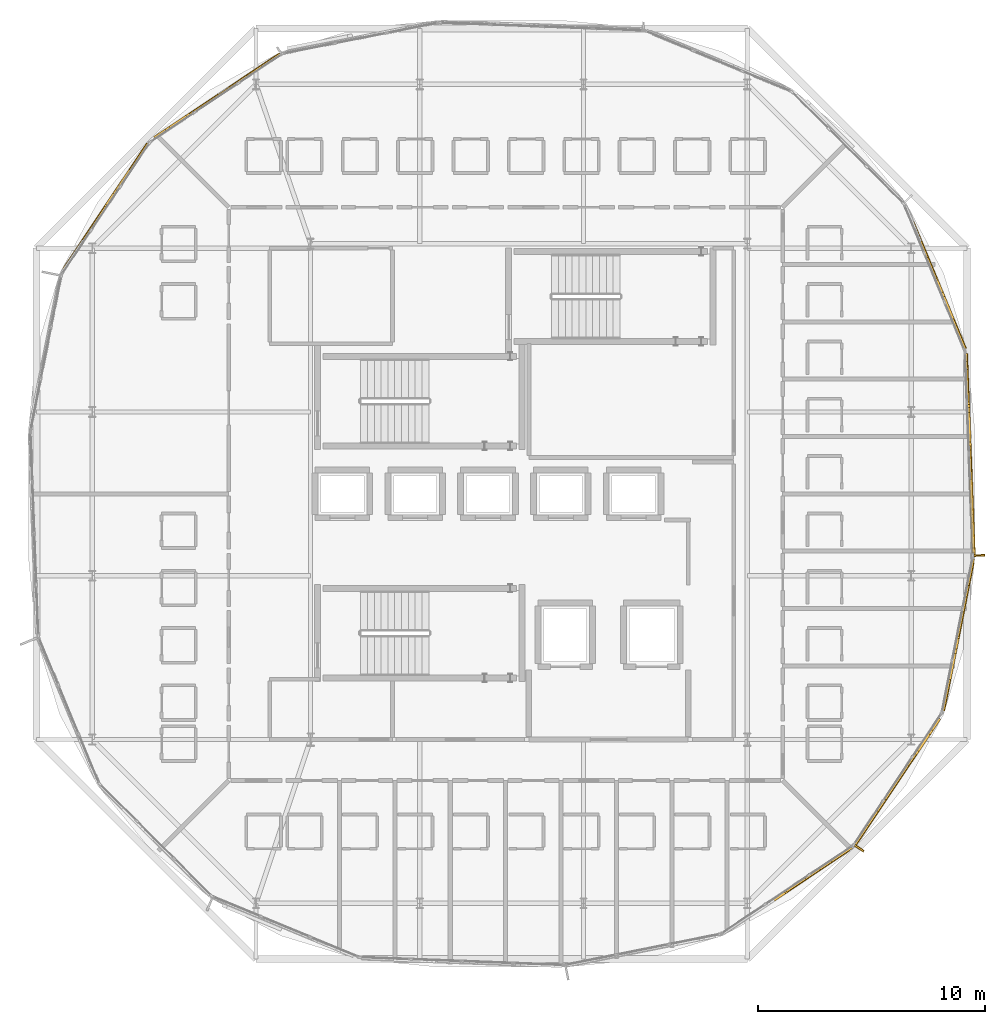
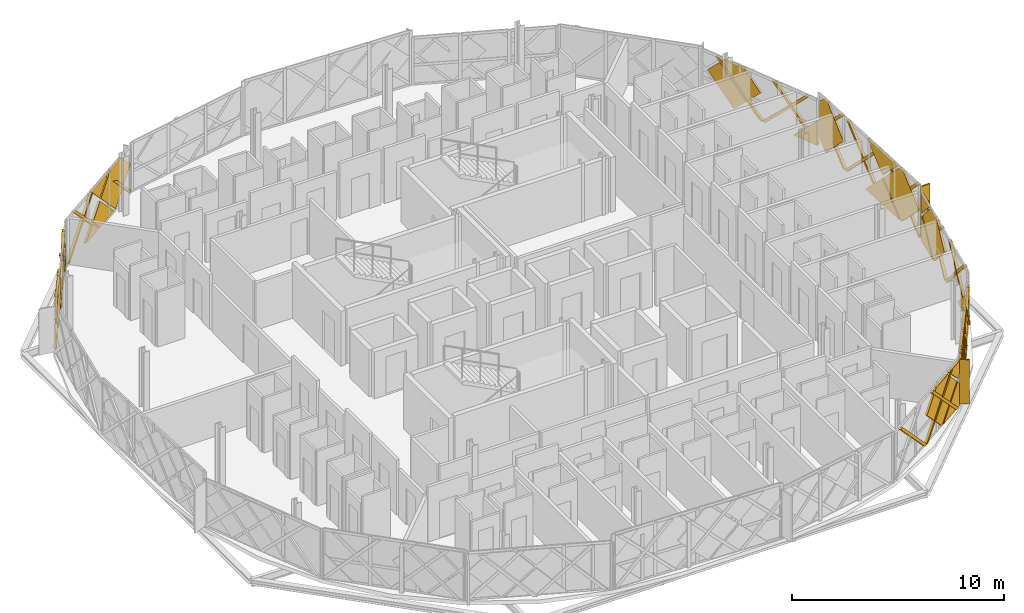
# One storey, part 23 of 24: 48 coverings, 2 shading devices.
"""IFC4 building model written with IfcOpenShell, lengths in metres."""

import ifcopenshell
import ifcopenshell.guid

model = None  # the IFC model being written
_history = None  # IfcOwnerHistory: only IFC2X3 demands one
_inside = {}  # id of a spatial element -> (the spatial element, [elements in it])
_under = {}  # id of a project, library or spatial element -> (it, [spatial elements below it])
_declared = {}  # id of a project -> (the project, [libraries it declares])
_typed = {}  # id of a type object -> (the type object, [elements of that type])
_made_of = {}  # id of a material, layer set ... -> (it, [elements and type objects made of it])


def new_model(schema):
    """Start an empty IFC model of exactly this schema.

    Asked for "IFC4X3", IfcOpenShell would pick the latest addendum, in which some entities
    have other attributes; the version numbers below select the first issue.
    IFC2X3 requires an IfcOwnerHistory on every rooted entity: one is made here for all.
    """
    global model, _history
    if schema == "IFC4X3":
        model = ifcopenshell.file(schema_version=(4, 3, 0, 0))
    else:
        model = ifcopenshell.file(schema=schema)
    _inside.clear()
    _under.clear()
    _declared.clear()
    _typed.clear()
    _made_of.clear()
    _history = None
    if model.schema == "IFC2X3":
        org = make("IfcOrganization", Name="unknown")
        user = make(
            "IfcPersonAndOrganization",
            ThePerson=make("IfcPerson", FamilyName="unknown"),
            TheOrganization=org,
        )
        app = make(
            "IfcApplication",
            ApplicationDeveloper=org,
            Version="unknown",
            ApplicationFullName="unknown",
            ApplicationIdentifier="unknown",
        )
        _history = make(
            "IfcOwnerHistory",
            OwningUser=user,
            OwningApplication=app,
            ChangeAction="ADDED",
            CreationDate=0,
        )
    return model


def make(cls, **values):
    """One entity of the class cls with the attributes given. An attribute that is None is left unset."""
    return model.create_entity(
        cls, **{name: value for name, value in values.items() if value is not None}
    )


def rooted(cls, **values):
    """An entity with a GlobalId (a new one), such as an element, a storey or a relation."""
    return make(cls, GlobalId=ifcopenshell.guid.new(), OwnerHistory=_history, **values)


def si_unit(unit_type, name, prefix=None):
    """IfcSIUnit, for example si_unit("LENGTHUNIT", "METRE", prefix="MILLI")."""
    return make("IfcSIUnit", UnitType=unit_type, Prefix=prefix, Name=name)


def assignment(units):
    """IfcUnitAssignment: the units of a project."""
    return None if units is None else make("IfcUnitAssignment", Units=units)


def point(xyz):
    """IfcCartesianPoint."""
    return None if xyz is None else make("IfcCartesianPoint", Coordinates=xyz)


def direction(xyz):
    """IfcDirection."""
    return None if xyz is None else make("IfcDirection", DirectionRatios=xyz)


def frame(location, z_axis=None, x_axis=None):
    """IfcAxis2Placement3D, a coordinate frame: its origin and axes. An axis left out is left unset."""
    return make(
        "IfcAxis2Placement3D",
        Location=point(location),
        Axis=direction(z_axis),
        RefDirection=direction(x_axis),
    )


def frame_2d(location, x_axis=None):
    """IfcAxis2Placement2D, a coordinate frame in the plane: its origin and x axis."""
    return make(
        "IfcAxis2Placement2D", Location=point(location), RefDirection=direction(x_axis)
    )


def origin():
    """The frame at (0, 0, 0) with its axes left unset."""
    return frame((0.0, 0.0, 0.0))


def origin_2d():
    """The frame at (0, 0) in the plane with its x axis left unset."""
    return frame_2d((0.0, 0.0))


def place(relative_to, where):
    """IfcLocalPlacement: puts the frame where relative to a parent placement (None: the world)."""
    return make(
        "IfcLocalPlacement", PlacementRelTo=relative_to, RelativePlacement=where
    )


def context(
    kind, dimensions, precision=None, world=None, true_north=None, identifier=None
):
    """IfcGeometricRepresentationContext, for example the 3D "Model" context."""
    return make(
        "IfcGeometricRepresentationContext",
        ContextIdentifier=identifier,
        ContextType=kind,
        CoordinateSpaceDimension=dimensions,
        Precision=precision,
        WorldCoordinateSystem=world,
        TrueNorth=true_north,
    )


def subcontext(parent, identifier, kind, view, scale=None):
    """IfcGeometricRepresentationSubContext, for example "Body" below "Model"."""
    return make(
        "IfcGeometricRepresentationSubContext",
        ContextIdentifier=identifier,
        ContextType=kind,
        ParentContext=parent,
        TargetScale=scale,
        TargetView=view,
    )


def project(units=None, contexts=None):
    """IfcProject with its units and contexts."""
    return rooted(
        "IfcProject",
        Name="project",
        RepresentationContexts=contexts,
        UnitsInContext=assignment(units),
    )


def spatial(cls, under=None, at=None, **own):
    """A site, building, storey or space (cls), placed at a placement, below another one or the project."""
    s = rooted(cls, ObjectPlacement=at, **own)
    if under is not None:
        _under.setdefault(under.id(), (under, []))[1].append(s)
    return s


def polyline(points):
    """IfcPolyline through the points."""
    return make("IfcPolyline", Points=[point(p) for p in points])


def profile(cls, at=None, kind="AREA", **sizes):
    """A parametric profile (cls). Its sizes go by their IFC names, for example OverallWidth=200.0."""
    return make(cls, ProfileType=kind, Position=at, **sizes)


def rectangle(**sizes):
    """IfcRectangleProfileDef."""
    return profile("IfcRectangleProfileDef", **sizes)


def outline(outer, holes=None, kind="AREA"):
    """IfcArbitraryClosedProfileDef: a profile drawn as a closed curve; with holes, ...WithVoids."""
    if holes is None:
        return make("IfcArbitraryClosedProfileDef", ProfileType=kind, OuterCurve=outer)
    return make(
        "IfcArbitraryProfileDefWithVoids",
        ProfileType=kind,
        OuterCurve=outer,
        InnerCurves=holes,
    )


def extrude(swept, where, along, depth):
    """IfcExtrudedAreaSolid: the profile swept, set in the frame where, extruded along a direction by depth."""
    return make(
        "IfcExtrudedAreaSolid",
        SweptArea=swept,
        Position=where,
        ExtrudedDirection=direction(along),
        Depth=depth,
    )


def shape(context_of_items, identifier, shape_type, items):
    """IfcShapeRepresentation: the items that make up one representation, for example the "Body"."""
    return make(
        "IfcShapeRepresentation",
        ContextOfItems=context_of_items,
        RepresentationIdentifier=identifier,
        RepresentationType=shape_type,
        Items=items,
    )


def material(Name=None, Category=None):
    """IfcMaterial."""
    return make("IfcMaterial", Name=Name, Category=Category)


def layer(
    of_material, thickness, ventilated=None, Name=None, Category=None, Priority=None
):
    """IfcMaterialLayer: one layer of a wall or slab, of a material (None: an air gap)."""
    return make(
        "IfcMaterialLayer",
        Material=of_material,
        LayerThickness=thickness,
        IsVentilated=ventilated,
        Name=Name,
        Category=Category,
        Priority=Priority,
    )


def layer_set(layers, Name=None):
    """IfcMaterialLayerSet."""
    return make("IfcMaterialLayerSet", MaterialLayers=layers, LayerSetName=Name)


def made_of(thing, what):
    """Note that an element or type object is made of a material, layer set ...; save() writes the relation."""
    if what is not None:
        _made_of.setdefault(what.id(), (what, []))[1].append(thing)
    return thing


def type_object(cls, material=None, **own):
    """A type object (cls), such as IfcWallType, which elements share."""
    return made_of(rooted(cls, **own), material)


def element(
    cls,
    number,
    at=None,
    inside=None,
    cuts=None,
    type_object=None,
    material=None,
    context=None,
    identifier="Body",
    shape_type=None,
    held_by="IfcProductDefinitionShape",
    body=None,
    shapes=None,
    **own,
):
    """One element of the class cls, such as IfcWall. Its Tag is "e" and its number.

    at: its placement. inside: the storey or other place that contains it. cuts: it is an
    opening in that element (IfcRelVoidsElement). A single representation is given by context,
    identifier, shape_type and body (its items); several are given by shapes. held_by: the class
    of the entity that holds the representations. save() writes the other relations.
    """
    e = rooted(cls, Tag="e%d" % number, ObjectPlacement=at, **own)
    if body is not None:
        shapes = [shape(context, identifier, shape_type, body)]
    if shapes is not None:
        e.Representation = make(held_by, Representations=shapes)
    if inside is not None:
        _inside.setdefault(inside.id(), (inside, []))[1].append(e)
    if cuts is not None:
        rooted(
            "IfcRelVoidsElement", RelatingBuildingElement=cuts, RelatedOpeningElement=e
        )
    if type_object is not None:
        _typed.setdefault(type_object.id(), (type_object, []))[1].append(e)
    return made_of(e, material)


def aggregate(whole, parts):
    """IfcRelAggregates: a whole, such as a stair, and the parts it consists of."""
    return rooted("IfcRelAggregates", RelatingObject=whole, RelatedObjects=parts)


def save(model, path):
    """Write the relations noted so far, then the file.

    IfcRelAggregates (storeys below a building ...), IfcRelContainedInSpatialStructure (elements
    in a storey), IfcRelDefinesByType, IfcRelAssociatesMaterial and IfcRelDeclares: one each for
    every whole, place, type object, material and project.
    """
    for whole, parts in _under.values():
        aggregate(whole, parts)
    for where, things in _inside.values():
        rooted(
            "IfcRelContainedInSpatialStructure",
            RelatedElements=things,
            RelatingStructure=where,
        )
    for kind, things in _typed.values():
        rooted("IfcRelDefinesByType", RelatedObjects=things, RelatingType=kind)
    for what, things in _made_of.values():
        rooted("IfcRelAssociatesMaterial", RelatedObjects=things, RelatingMaterial=what)
    for by, libraries in _declared.values():
        rooted("IfcRelDeclares", RelatingContext=by, RelatedDefinitions=libraries)
    model.write(path)


model = new_model("IFC4")

# Units and contexts
model_context = context("Model", 3, precision=1e-05, world=origin(), true_north=direction((0.0, 1.0)))
body_context = subcontext(model_context, "Body", "Model", "MODEL_VIEW")
ifc_project = project(units=[si_unit("LENGTHUNIT", "METRE"), si_unit("AREAUNIT", "SQUARE_METRE"), si_unit("VOLUMEUNIT", "CUBIC_METRE"), si_unit("PLANEANGLEUNIT", "RADIAN"), si_unit("MASSUNIT", "GRAM", prefix="KILO")], contexts=[model_context])

# Site, building, storey
site_placement = place(None, origin())
site = spatial("IfcSite", under=ifc_project, at=site_placement, CompositionType="ELEMENT")
building_placement = place(site_placement, origin())
building = spatial("IfcBuilding", under=site, at=building_placement, Name="Zevrakil Square Congress Hotel", CompositionType="ELEMENT")
storey_placement = place(building_placement, frame((0.0, 0.0, 31.699951171875)))
storey = spatial("IfcBuildingStorey", under=building, at=storey_placement, Name="L09", CompositionType="ELEMENT", Elevation=31.699951171875)

# Coverings
ifc_material_1 = material(Name="Architectural White Fibre-C GRC", Category="concrete")
ifc_layer_1 = layer(ifc_material_1, 0.06494140625)
ifc_layer_set_1 = layer_set([ifc_layer_1], Name="Architectural White Fibre-C GRC")
covering_type_1 = type_object("IfcCoveringType", Name="COV-DIA-WHITE", PredefinedType="CLADDING", material=ifc_layer_set_1)
covering_1_placement = place(storey_placement, frame((160.470703125, 11.906982421875, 1.590087890625), z_axis=(0.555555570165, -0.831479210688, 0.000575023212), x_axis=(0.588081970565, 0.392439818375, -0.707213252739)))
element("IfcCovering", 1, at=covering_1_placement, inside=storey, type_object=covering_type_1, Name="L09 45-degree white GRC diamond facade cassette 2941", PredefinedType="CLADDING", context=body_context, shape_type="SweptSolid", body=[
    extrude(outline(polyline([(0.0, 0.0), (0.26270868556068033, -2.7755575615628914e-17), (1.199309263480917, -0.9361277290197445), (0.00043264260109388, -2.135365934725305), (0.0, 0.0)])), origin(), (0.0, 0.0, -1.0), 0.1201171875),
])
covering_2_placement = place(storey_placement, frame((160.39599609375, 11.85693359375, 1.679931640625), z_axis=(0.555550471094, -0.831482613578, 0.000580848501), x_axis=(-0.587739858989, -0.393189054616, -0.707081484332)))
element("IfcCovering", 2, at=covering_2_placement, inside=storey, type_object=covering_type_1, Name="L09 45-degree white GRC diamond facade cassette 2942", PredefinedType="CLADDING", context=body_context, shape_type="SweptSolid", body=[
    extrude(outline(polyline([(0.0, 0.0), (2.2484589964464945, 2.220446049250313e-16), (2.2486178398578724, -2.2484577184141084), (0.8414631937898491, -2.248661653598485), (-5.673013218232548e-05, -1.4072016553573734), (0.0, 0.0)])), origin(), (0.0, 0.0, -1.0), 0.1201171875),
])
covering_3_placement = place(storey_placement, frame((160.470703125, 11.906982421875, 1.77001953125), z_axis=(0.555624868628, -0.831432770086, 0.000744438948), x_axis=(-0.58814316433, -0.392407573562, 0.707180255991)))
element("IfcCovering", 3, at=covering_3_placement, inside=storey, type_object=covering_type_1, Name="L09 45-degree white GRC diamond facade cassette 2943", PredefinedType="CLADDING", context=body_context, shape_type="SweptSolid", body=[
    extrude(outline(polyline([(0.0, 0.0), (1.279771719581046, -1.1102230246251565e-16), (0.5086976693122863, -0.771234752438759), (0.00011457308012857714, -0.2626610238337355), (0.0, 0.0)])), origin(), (0.0, 0.0, -1.0), 0.1201171875),
])
covering_4_placement = place(storey_placement, frame((162.60107421875, 14.885498046875, 1.590087890625), z_axis=(0.831477563043, -0.555557978924, 0.000627862189), x_axis=(0.393187686399, 0.58766638793, -0.707143309211)))
element("IfcCovering", 4, at=covering_4_placement, inside=storey, type_object=covering_type_1, Name="L09 45-degree white GRC diamond facade cassette 2948", PredefinedType="CLADDING", context=body_context, shape_type="SweptSolid", body=[
    extrude(outline(polyline([(0.0, 0.0), (2.135365980213563, 0.0), (7.921732547955251e-05, -2.135508233026097), (0.0, 0.0)])), origin(), (0.0, 0.0, -1.0), 0.1201171875),
])
covering_5_placement = place(storey_placement, frame((162.551025390625, 14.810546875, 1.679931640625), z_axis=(0.831460077473, -0.555584210148, 0.000570089731), x_axis=(-0.392536020764, -0.58817569758, -0.707081905566)))
element("IfcCovering", 5, at=covering_5_placement, inside=storey, type_object=covering_type_1, Name="L09 45-degree white GRC diamond facade cassette 2949", PredefinedType="CLADDING", context=body_context, shape_type="SweptSolid", body=[
    extrude(outline(polyline([(0.0, 0.0), (2.24845772409654, -2.220446049250313e-16), (2.248530996360055, -2.234563350722395), (2.23454817547362, -2.2485471508973056), (0.8414149194801583, -2.248615133266335), (-0.00010452547144523816, -1.407154657282171), (0.0, 0.0)])), origin(), (0.0, 0.0, -1.0), 0.1201171875),
])
covering_6_placement = place(storey_placement, frame((162.600830078125, 14.885498046875, 1.77001953125), z_axis=(0.831447899515, -0.555602514293, 0.000486316257), x_axis=(-0.393145029289, -0.587714621659, 0.707126940113)))
element("IfcCovering", 6, at=covering_6_placement, inside=storey, type_object=covering_type_1, Name="L09 45-degree white GRC diamond facade cassette 2950", PredefinedType="CLADDING", context=body_context, shape_type="SweptSolid", body=[
    extrude(outline(polyline([(0.0, 0.0), (1.2798682181872283, -1.1102230246251565e-16), (7.395462638903894e-05, -1.2798675407719995), (0.0, 0.0)])), origin(), (0.0, 0.0, -1.0), 0.1201171875),
])
covering_7_placement = place(storey_placement, frame((164.93603515625, 19.431396484375, 0.080078125), z_axis=(0.980773211912, -0.195150319531, 0.000509492578), x_axis=(-0.19515034486, -0.980773339208, 0.0)))
element("IfcCovering", 7, at=covering_7_placement, inside=storey, type_object=covering_type_1, Name="L09 45-degree white GRC diamond facade cassette 2955", PredefinedType="CLADDING", context=body_context, shape_type="SweptSolid", body=[
    extrude(outline(polyline([(0.0, 0.0), (1.409920564436228, 2.710505431213761e-20), (1.4100634968177175, -1.4099122923694223), (0.0, 0.0)])), origin(), (0.0, 0.0, -1.0), 0.1201171875),
])
covering_8_placement = place(storey_placement, frame((165.951416015625, 24.54150390625, 1.590087890625), z_axis=(0.980781294411, -0.195109431734, 0.000601815701), x_axis=(0.138356558336, 0.693312983016, -0.70723021029)))
element("IfcCovering", 8, at=covering_8_placement, inside=storey, type_object=covering_type_1, Name="L09 45-degree white GRC diamond facade cassette 2956", PredefinedType="CLADDING", context=body_context, shape_type="SweptSolid", body=[
    extrude(outline(polyline([(0.0, 0.0), (0.26270234437321993, 2.7755575615628914e-17), (1.199161918910315, -0.9362688493149549), (0.00035303784299656193, -2.1354968172801163), (0.0, 0.0)])), origin(), (0.0, 0.0, -1.0), 0.1201171875),
])
covering_9_placement = place(storey_placement, frame((165.933837890625, 24.453125, 1.679931640625), z_axis=(0.980792211256, -0.195054657099, 0.000564874392), x_axis=(-0.137537358675, -0.693626008541, -0.707083046921)))
element("IfcCovering", 9, at=covering_9_placement, inside=storey, type_object=covering_type_1, Name="L09 45-degree white GRC diamond facade cassette 2957", PredefinedType="CLADDING", context=body_context, shape_type="SweptSolid", body=[
    extrude(outline(polyline([(0.0, 0.0), (2.2484539984266965, 0.0), (2.2486705780050307, -2.2485204204420257), (0.6998426726840418, -2.248612082302408), (-0.00015858447467409498, -1.5486577677768727), (0.0, 0.0)])), origin(), (0.0, 0.0, -1.0), 0.1201171875),
])
covering_10_placement = place(storey_placement, frame((165.951416015625, 24.54150390625, 1.77001953125), z_axis=(0.980762301065, -0.195204917922, 0.000590617638), x_axis=(-0.138434867767, -0.693394688143, 0.707134777706)))
element("IfcCovering", 10, at=covering_10_placement, inside=storey, type_object=covering_type_1, Name="L09 45-degree white GRC diamond facade cassette 2958", PredefinedType="CLADDING", context=body_context, shape_type="SweptSolid", body=[
    extrude(outline(polyline([(0.0, 0.0), (1.4214078953294336, -1.1102230246251565e-16), (0.5795385624433876, -0.841936290724691), (9.003126230577863e-05, -0.2626686353317758), (0.0, 0.0)])), origin(), (0.0, 0.0, -1.0), 0.1201171875),
])
covering_11_placement = place(storey_placement, frame((165.880615234375, 28.201171875, 1.590087890625), z_axis=(0.999268516793, 0.038237521919, 0.00056856242), x_axis=(-0.026637135829, 0.706627195536, -0.707084485421)))
element("IfcCovering", 11, at=covering_11_placement, inside=storey, type_object=covering_type_1, Name="L09 45-degree white GRC diamond facade cassette 2963", PredefinedType="CLADDING", context=body_context, shape_type="SweptSolid", body=[
    extrude(outline(polyline([(0.0, 0.0), (2.135543625631838, 0.0), (-7.675458893352527e-06, -2.135417325695998), (0.0, 0.0)])), origin(), (0.0, 0.0, -1.0), 0.1201171875),
])
covering_12_placement = place(storey_placement, frame((165.884033203125, 28.111083984375, 1.679931640625), z_axis=(0.99927022212, 0.038191626028, 0.00065029687), x_axis=(0.027464881556, -0.706568659817, -0.707111313193)))
element("IfcCovering", 12, at=covering_12_placement, inside=storey, type_object=covering_type_1, Name="L09 45-degree white GRC diamond facade cassette 2964", PredefinedType="CLADDING", context=body_context, shape_type="SweptSolid", body=[
    extrude(outline(polyline([(0.0, 0.0), (2.2483641982362492, 0.0), (2.248273639218738, -2.2344926104274325), (2.234290236784982, -2.2484758277028156), (0.25429842269801184, -2.2485775321835337), (-0.00017268796531177966, -1.9941029852337686), (0.0, 0.0)])), origin(), (0.0, 0.0, -1.0), 0.1201171875),
])
covering_13_placement = place(storey_placement, frame((165.68896484375, 33.237548828125, 0.090087890625), z_axis=(0.999267380291, 0.038266573584, 0.000609944796), x_axis=(0.026628860171, -0.706638319592, 0.7070736801)))
element("IfcCovering", 13, at=covering_13_placement, inside=storey, type_object=covering_type_1, Name="L09 45-degree white GRC diamond facade cassette 2965", PredefinedType="CLADDING", context=body_context, shape_type="SweptSolid", body=[
    extrude(outline(polyline([(0.0, 0.0), (2.2484839012348568, 0.0), (2.2485041573894216, -1.9941491244564475), (1.9940129245306846, -2.2486167517359945), (1.4999325554660055, -2.2485969637526586), (-0.0001431455945355431, -0.7486471277437169), (0.0, 0.0)])), origin(), (0.0, 0.0, -1.0), 0.1201171875),
])
covering_14_placement = place(storey_placement, frame((165.880615234375, 28.201171875, 1.77001953125), z_axis=(0.999270087558, 0.038195145411, 0.000650368574), x_axis=(0.026548024713, -0.706595948393, 0.70711906218)))
element("IfcCovering", 14, at=covering_14_placement, inside=storey, type_object=covering_type_1, Name="L09 45-degree white GRC diamond facade cassette 2966", PredefinedType="CLADDING", context=body_context, shape_type="SweptSolid", body=[
    extrude(outline(polyline([(0.0, 0.0), (1.8668261541483901, 0.0), (0.00019198505883255557, -1.8666997995916357), (0.0, 0.0)])), origin(), (0.0, 0.0, -1.0), 0.1201171875),
])
covering_15_placement = place(storey_placement, frame((165.079833984375, 35.294189453125, 0.080078125), z_axis=(0.923894304185, 0.382647378607, 0.000546204379), x_axis=(0.382647435687, -0.923894442002, 0.0)))
element("IfcCovering", 15, at=covering_15_placement, inside=storey, type_object=covering_type_1, Name="L09 45-degree white GRC diamond facade cassette 2973", PredefinedType="CLADDING", context=body_context, shape_type="SweptSolid", body=[
    extrude(outline(polyline([(0.0, 0.0), (1.4100467713356626, -5.421010862427522e-20), (1.4099920721498573, -1.4099123196910894), (0.0, 0.0)])), origin(), (0.0, 0.0, -1.0), 0.1201171875),
])
covering_16_placement = place(storey_placement, frame((163.11962890625, 40.024169921875, 1.679931640625), z_axis=(0.923872842232, 0.382699154345, 0.000573279441), x_axis=(0.271009366948, -0.653183734627, -0.707039554654)))
element("IfcCovering", 16, at=covering_16_placement, inside=storey, type_object=covering_type_1, Name="L09 45-degree white GRC diamond facade cassette 2975", PredefinedType="CLADDING", context=body_context, shape_type="SweptSolid", body=[
    extrude(outline(polyline([(0.0, 0.0), (2.2485923601866116, 0.0), (2.2488756730302573, -2.2484488388837605), (0.8416995419076854, -2.248714743331991), (0.00021545343564721708, -1.4073903061598778), (0.0, 0.0)])), origin(), (0.0, 0.0, -1.0), 0.1201171875),
])
covering_17_placement = place(storey_placement, frame((132.722900390625, 45.159912109375, 1.590087890625), z_axis=(-0.55561388907, 0.831440251576, 0.000560652442), x_axis=(-0.588172468812, -0.392572256151, -0.707064474169)))
element("IfcCovering", 17, at=covering_17_placement, inside=storey, type_object=covering_type_1, Name="L09 45-degree white GRC diamond facade cassette 3014", PredefinedType="CLADDING", context=body_context, shape_type="SweptSolid", body=[
    extrude(outline(polyline([(0.0, 0.0), (2.135604065526496, 2.220446049250313e-16), (-1.6773891793997464e-05, -2.1353659801476814), (0.0, 0.0)])), origin(), (0.0, 0.0, -1.0), 0.1201171875),
])
covering_18_placement = place(storey_placement, frame((132.7978515625, 45.209716796875, 1.679931640625), z_axis=(-0.555583563921, 0.831460445201, 0.000656936869), x_axis=(0.587719384031, 0.393273931333, -0.707051299814)))
element("IfcCovering", 18, at=covering_18_placement, inside=storey, type_object=covering_type_1, Name="L09 45-degree white GRC diamond facade cassette 3015", PredefinedType="CLADDING", context=body_context, shape_type="SweptSolid", body=[
    extrude(outline(polyline([(0.0, 0.0), (2.2485549974204413, 0.0), (2.2486276031795485, -2.234466135909624), (2.234645387533814, -2.24845053976666), (0.8415590127010275, -2.2486257950545143), (3.234008185581949e-06, -1.4072016568789645), (0.0, 0.0)])), origin(), (0.0, 0.0, -1.0), 0.1201171875),
])
covering_19_placement = place(storey_placement, frame((132.722900390625, 45.15966796875, 1.77001953125), z_axis=(-0.555540185908, 0.831489498937, 0.000561247512), x_axis=(0.588221200664, 0.392528933517, 0.707047986661)))
element("IfcCovering", 19, at=covering_19_placement, inside=storey, type_object=covering_type_1, Name="L09 45-degree white GRC diamond facade cassette 3016", PredefinedType="CLADDING", context=body_context, shape_type="SweptSolid", body=[
    extrude(outline(polyline([(0.0, 0.0), (1.2800111363716264, 0.0), (-6.952262532788911e-05, -1.279868216298989), (0.0, 0.0)])), origin(), (0.0, 0.0, -1.0), 0.1201171875),
])
covering_20_placement = place(storey_placement, frame((128.825927734375, 41.853271484375, 0.080078125), z_axis=(-0.831436961663, 0.555618744269, 0.000624337381), x_axis=(0.555618852558, 0.831437123709, 0.0)))
element("IfcCovering", 20, at=covering_20_placement, inside=storey, type_object=covering_type_1, Name="L09 45-degree white GRC diamond facade cassette 3021", PredefinedType="CLADDING", context=body_context, shape_type="SweptSolid", body=[
    extrude(outline(polyline([(0.0, 0.0), (1.4100444252712594, 5.421010862427522e-20), (1.410045397514974, -1.409912384164952), (0.0, 0.0)])), origin(), (0.0, 0.0, -1.0), 0.1201171875),
])
covering_21_placement = place(storey_placement, frame((125.982421875, 37.595703125, 1.679931640625), z_axis=(-0.831482613578, 0.555550471094, 0.000580848501), x_axis=(0.392505839963, 0.588195863584, -0.707081884691)))
element("IfcCovering", 21, at=covering_21_placement, inside=storey, type_object=covering_type_1, Name="L09 45-degree white GRC diamond facade cassette 3023", PredefinedType="CLADDING", context=body_context, shape_type="SweptSolid", body=[
    extrude(outline(polyline([(0.0, 0.0), (2.248457724024894, 0.0), (2.2486165675261627, -2.2484589908357053), (0.8414149196880389, -2.2486151334268043), (-0.00010452604580413194, -1.4071546569637217), (0.0, 0.0)])), origin(), (0.0, 0.0, -1.0), 0.1201171875),
])
ifc_material_2 = material(Name="Anodised Champagne Aluminium", Category="aluminium")
ifc_layer_2 = layer(ifc_material_2, 0.0849609375)
ifc_layer_set_2 = layer_set([ifc_layer_2], Name="Anodised Champagne Aluminium")
covering_type_2 = type_object("IfcCoveringType", Name="COV-DIAGRID-45", PredefinedType="MOLDING", material=ifc_layer_set_2)
covering_22_placement = place(storey_placement, frame((157.84619140625, 10.1220703125, 0.080078125), z_axis=(0.556027789995, -0.831163694361, 9.964254e-05), x_axis=(-0.831163698488, -0.556027792755, 0.0)))
element("IfcCovering", 22, at=covering_22_placement, inside=storey, type_object=covering_type_2, Name="L09 45-degree aluminium diagrid rib 2945", PredefinedType="MOLDING", context=body_context, shape_type="SweptSolid", body=[
    extrude(outline(polyline([(0.0, 0.0), (0.2120755894064681, 0.0), (-2.382939155568258, -2.5949707160072597), (-2.5950147449747263, -2.5949707160072597), (0.0, 0.0)])), origin(), (0.0, 0.0, -1.0), 0.14501953125),
])
covering_23_placement = place(storey_placement, frame((155.378173828125, 8.474853515625, 2.675048828125), z_axis=(0.555761685976, -0.831341238338, 0.00083297021), x_axis=(0.83134152687, 0.555761878596, -2.66209e-07)))
element("IfcCovering", 23, at=covering_23_placement, inside=storey, type_object=covering_type_2, Name="L09 45-degree aluminium diagrid rib 2946", PredefinedType="MOLDING", context=body_context, shape_type="SweptSolid", body=[
    extrude(outline(polyline([(0.0, 0.0), (0.21227854279522446, 1.3552527156068805e-20), (2.807221988183255, -2.5949708560651708), (2.595146409627989, -2.5949709690319134), (0.0, 0.0)])), origin(), (0.0, 0.0, -1.0), 0.14501953125),
])
covering_24_placement = place(storey_placement, frame((158.172119140625, 10.341552734375, 2.675048828125), z_axis=(0.556027439818, -0.831163170909, 0.001126718137), x_axis=(0.831163698488, 0.556027792755, 0.0)))
element("IfcCovering", 24, at=covering_24_placement, inside=storey, type_object=covering_type_2, Name="L09 45-degree aluminium diagrid rib 2947", PredefinedType="MOLDING", context=body_context, shape_type="SweptSolid", body=[
    extrude(outline(polyline([(0.0, 0.0), (0.2120755894064681, 1.3552527156068805e-20), (2.807017541453729, -2.594972350276125), (2.594941952047261, -2.594972350276125), (0.0, 0.0)])), origin(), (0.0, 0.0, -1.0), 0.14501953125),
])
covering_25_placement = place(storey_placement, frame((160.859130859375, 12.23193359375, 0.080078125), z_axis=(0.83161191176, -0.55535712809, 0.000297486657), x_axis=(-0.555357152722, -0.83161194852, 2.33168e-07)))
element("IfcCovering", 25, at=covering_25_placement, inside=storey, type_object=covering_type_2, Name="L09 45-degree aluminium diagrid rib 2951", PredefinedType="MOLDING", context=body_context, shape_type="SweptSolid", body=[
    extrude(outline(polyline([(0.0, 0.0), (0.0860625739379238, 3.3881317890172014e-21), (0.08606260331156856, -0.12597655692563992), (-2.383002926059609, -2.594971381520282), (-2.594942861226383, -2.594971440445242), (0.0, 0.0)])), origin(), (0.0, 0.0, -1.0), 0.14501953125),
])
covering_26_placement = place(storey_placement, frame((162.725830078125, 15.025634765625, 0.080078125), z_axis=(0.831429546981, -0.555629856535, 0.000609043152), x_axis=(-0.555629959438, -0.831429701282, -2.91656e-07)))
element("IfcCovering", 26, at=covering_26_placement, inside=storey, type_object=covering_type_2, Name="L09 45-degree aluminium diagrid rib 2952", PredefinedType="MOLDING", context=body_context, shape_type="SweptSolid", body=[
    extrude(outline(polyline([(0.0, 0.0), (0.21193991327518047, -2.0328790734103208e-20), (-2.383003897695146, -2.5949704893887406), (-2.595079462815893, -2.5949703657220855), (0.0, 0.0)])), origin(), (0.0, 0.0, -1.0), 0.14501953125),
])
for number, where, z_axis, x_axis, name in (
    (27, (161.076171875, 12.5595703125, 2.675048828125), (0.831163694361, -0.556027789995, 9.964254e-05), (0.556027792755, 0.831163698488, 0.0), "L09 45-degree aluminium diagrid rib 2953"),
    (28, (162.94287109375, 15.353271484375, 2.675048828125), (0.831163694361, -0.556027789995, 9.964254e-05), (0.556027792755, 0.831163698488, 0.0), "L09 45-degree aluminium diagrid rib 2954"),
):
    element("IfcCovering", number, at=place(storey_placement, frame(where, z_axis=z_axis, x_axis=x_axis)), inside=storey, type_object=covering_type_2, Name=name, PredefinedType="MOLDING", context=body_context, shape_type="SweptSolid", body=[
        extrude(outline(polyline([(0.0, 0.0), (0.2120755894064681, 0.0), (2.8070903343811944, -2.5949707160072597), (2.5950147449747263, -2.5949707160072597), (0.0, 0.0)])), origin(), (0.0, 0.0, -1.0), 0.14501953125),
    ])
covering_27_placement = place(storey_placement, frame((164.7021484375, 18.1279296875, 0.080078125), z_axis=(0.980832579188, -0.194852035511, 0.000368592858), x_axis=(-0.194852048547, -0.980832645856, -5.52765e-07)))
element("IfcCovering", 29, at=covering_27_placement, inside=storey, type_object=covering_type_2, Name="L09 45-degree aluminium diagrid rib 2959", PredefinedType="MOLDING", context=body_context, shape_type="SweptSolid", body=[
    extrude(outline(polyline([(0.0, 0.0), (0.08584892629919177, -8.470329472543003e-22), (0.08589642796472052, -0.125976642232294), (-2.4829614084602665, -2.6950671418977716), (-2.6950218114079445, -2.6950670474659173), (0.0, 0.0)])), origin(), (0.0, 0.0, -1.0), 0.14501953125),
])
covering_28_placement = place(storey_placement, frame((165.357666015625, 21.42333984375, 0.080078125), z_axis=(0.980889408081, -0.194566091509, 7.175285e-05), x_axis=(-0.19456609201, -0.980889410606, 0.0)))
element("IfcCovering", 30, at=covering_28_placement, inside=storey, type_object=covering_type_2, Name="L09 45-degree aluminium diagrid rib 2960", PredefinedType="MOLDING", context=body_context, shape_type="SweptSolid", body=[
    extrude(outline(polyline([(0.0, 0.0), (0.21206041195957603, 0.0), (-2.4829600806167407, -2.6950683663127415), (-2.6950204925763166, -2.6950683663127415), (0.0, 0.0)])), origin(), (0.0, 0.0, -1.0), 0.14501953125),
])
covering_29_placement = place(storey_placement, frame((164.7578125, 18.41552734375, 2.775146484375), z_axis=(0.980779279731, -0.195119821496, 0.000509617453), x_axis=(0.195119846977, 0.980779407061, -2.87653e-07)))
element("IfcCovering", 31, at=covering_29_placement, inside=storey, type_object=covering_type_2, Name="L09 45-degree aluminium diagrid rib 2961", PredefinedType="MOLDING", context=body_context, shape_type="SweptSolid", body=[
    extrude(outline(polyline([(0.0, 0.0), (0.21210801484432368, 3.3881317890172014e-21), (2.907221487956691, -2.695067873072805), (2.695161109793758, -2.6950679950860317), (0.0, 0.0)])), origin(), (0.0, 0.0, -1.0), 0.14501953125),
])
covering_30_placement = place(storey_placement, frame((165.413330078125, 21.7109375, 2.775146484375), z_axis=(0.980888796892, -0.194565970275, 0.001118634576), x_axis=(0.19456609201, 0.980889410606, 0.0)))
element("IfcCovering", 32, at=covering_30_placement, inside=storey, type_object=covering_type_2, Name="L09 45-degree aluminium diagrid rib 2962", PredefinedType="MOLDING", context=body_context, shape_type="SweptSolid", body=[
    extrude(outline(polyline([(0.0, 0.0), (0.21206041195957603, -6.776263578034403e-21), (2.9072194739633623, -2.6950700456044694), (2.6951590620037864, -2.6950700456044694), (0.0, 0.0)])), origin(), (0.0, 0.0, -1.0), 0.14501953125),
])
covering_31_placement = place(storey_placement, frame((166.02783203125, 25.030517578125, 0.080078125), z_axis=(0.999275908339, 0.038039729148, 0.000798761543), x_axis=(0.03803974056, -0.999276227145, 9.057e-07)))
element("IfcCovering", 33, at=covering_31_placement, inside=storey, type_object=covering_type_2, Name="L09 45-degree aluminium diagrid rib 2967", PredefinedType="MOLDING", context=body_context, shape_type="SweptSolid", body=[
    extrude(outline(polyline([(0.0, 0.0), (0.08599603236873739, -8.470329472543003e-22), (0.0859961464657472, -0.12597652231215858), (-2.7980141384707746, -3.0100132986534147), (-3.009837331921279, -3.0100134896554223), (0.0, 0.0)])), origin(), (0.0, 0.0, -1.0), 0.14501953125),
])
covering_32_placement = place(storey_placement, frame((165.8994140625, 28.38818359375, 0.080078125), z_axis=(0.999278590161, 0.037969134687, 0.000802531537), x_axis=(0.0379691469, -0.999278911958, 1.752e-08)))
element("IfcCovering", 34, at=covering_32_placement, inside=storey, type_object=covering_type_2, Name="L09 45-degree aluminium diagrid rib 2968", PredefinedType="MOLDING", context=body_context, shape_type="SweptSolid", body=[
    extrude(outline(polyline([(0.0, 0.0), (0.21231112215309594, 0.0), (-2.797763397265103, -3.0100107839505816), (-3.0098305548400837, -3.010010791385623), (0.0, 0.0)])), origin(), (0.0, 0.0, -1.0), 0.14501953125),
])
covering_33_placement = place(storey_placement, frame((165.77099609375, 31.74560546875, 0.080078125), z_axis=(0.999262306382, 0.03840148991, 0.00041062961), x_axis=(0.038401493078, -0.999262390631, 1.68689e-07)))
element("IfcCovering", 35, at=covering_33_placement, inside=storey, type_object=covering_type_2, Name="L09 45-degree aluminium diagrid rib 2969", PredefinedType="MOLDING", context=body_context, shape_type="SweptSolid", body=[
    extrude(outline(polyline([(0.0, 0.0), (0.2120671397312457, 4.235164736271502e-22), (-2.0232557600264265, -2.2353520922600176), (-2.023255795815199, -2.023193907021727), (0.0, 0.0)])), origin(), (0.0, 0.0, -1.0), 0.14501953125),
])
covering_34_placement = place(storey_placement, frame((166.02685546875, 25.00830078125, 3.090087890625), z_axis=(0.999278855797, 0.03796914478, 0.000335263133), x_axis=(-0.037969146916, 0.999278911957, 7.327e-09)))
element("IfcCovering", 36, at=covering_34_placement, inside=storey, type_object=covering_type_2, Name="L09 45-degree aluminium diagrid rib 2970", PredefinedType="MOLDING", context=body_context, shape_type="SweptSolid", body=[
    extrude(outline(polyline([(0.0, 0.0), (0.21206715757498135, 8.470329472543003e-22), (3.222255894892883, -3.010009958400565), (3.009944772739787, -3.0100099552909514), (0.0, 0.0)])), origin(), (0.0, 0.0, -1.0), 0.14501953125),
])
covering_35_placement = place(storey_placement, frame((165.8984375, 28.365966796875, 3.090087890625), z_axis=(0.999278018699, 0.037990984582, 0.000355578666), x_axis=(-0.037990986984, 0.999278081871, 0.0)))
element("IfcCovering", 37, at=covering_35_placement, inside=storey, type_object=covering_type_2, Name="L09 45-degree aluminium diagrid rib 2971", PredefinedType="MOLDING", context=body_context, shape_type="SweptSolid", body=[
    extrude(outline(polyline([(0.0, 0.0), (0.2120671576256312, 0.0), (3.2220119297478256, -3.0100099559120976), (3.009944772122195, -3.0100099559120976), (0.0, 0.0)])), origin(), (0.0, 0.0, -1.0), 0.14501953125),
])
covering_36_placement = place(storey_placement, frame((165.77001953125, 31.723388671875, 3.090087890625), z_axis=(0.999285907532, 0.037784021057, 0.000206786978), x_axis=(-0.037784021874, 0.999285928897, 4.2828e-08)))
element("IfcCovering", 38, at=covering_36_placement, inside=storey, type_object=covering_type_2, Name="L09 45-degree aluminium diagrid rib 2972", PredefinedType="MOLDING", context=body_context, shape_type="SweptSolid", body=[
    extrude(outline(polyline([(0.0, 0.0), (0.21206715307720056, 2.117582368135751e-22), (2.0453914653357086, -1.8332520799216434), (2.045391456238847, -2.0456544191303903), (0.0, 0.0)])), origin(), (0.0, 0.0, -1.0), 0.14501953125),
])
covering_37_placement = place(storey_placement, frame((165.609619140625, 34.08056640625, 0.080078125), z_axis=(0.923648326991, 0.383241132938, 4.5498423e-05), x_axis=(0.383241133336, -0.923648327947, -1.7991e-08)))
element("IfcCovering", 39, at=covering_37_placement, inside=storey, type_object=covering_type_2, Name="L09 45-degree aluminium diagrid rib 2977", PredefinedType="MOLDING", context=body_context, shape_type="SweptSolid", body=[
    extrude(outline(polyline([(0.0, 0.0), (0.08591876454666593, 2.117582368135751e-22), (0.08591876228024864, -0.12597656236960753), (-2.3829089227237494, -2.5949706625625812), (-2.5951425420456125, -2.5949706568811086), (0.0, 0.0)])), origin(), (0.0, 0.0, -1.0), 0.14501953125),
])
covering_38_placement = place(storey_placement, frame((164.32373046875, 37.184814453125, 0.080078125), z_axis=(0.92384130708, 0.382775370223, 0.000505256113), x_axis=(0.382775419259, -0.923841424927, -3.80117e-07)))
element("IfcCovering", 40, at=covering_38_placement, inside=storey, type_object=covering_type_2, Name="L09 45-degree aluminium diagrid rib 2978", PredefinedType="MOLDING", context=body_context, shape_type="SweptSolid", body=[
    extrude(outline(polyline([(0.0, 0.0), (0.2120080657726111, 0.0), (-2.382909504255097, -2.5949701285673163), (-2.5950496662204983, -2.594969967341287), (0.0, 0.0)])), origin(), (0.0, 0.0, -1.0), 0.14501953125),
])
covering_39_placement = place(storey_placement, frame((165.457763671875, 34.443115234375, 2.675048828125), z_axis=(0.923841186995, 0.382775320468, 0.000717810172), x_axis=(-0.382775418933, 0.923841425062, -2.23722e-07)))
element("IfcCovering", 41, at=covering_39_placement, inside=storey, type_object=covering_type_2, Name="L09 45-degree aluminium diagrid rib 2979", PredefinedType="MOLDING", context=body_context, shape_type="SweptSolid", body=[
    extrude(outline(polyline([(0.0, 0.0), (0.21191461474255194, -6.776263578034403e-21), (2.8070636499066777, -2.5949707436541787), (2.5948300369111976, -2.5949708385455366), (0.0, 0.0)])), origin(), (0.0, 0.0, -1.0), 0.14501953125),
])
covering_40_placement = place(storey_placement, frame((135.34765625, 46.944580078125, 0.080078125), z_axis=(-0.555644897762, 0.831419554627, 0.000521320113), x_axis=(0.83141966754, 0.555644973366, -2.28157e-07)))
element("IfcCovering", 42, at=covering_40_placement, inside=storey, type_object=covering_type_2, Name="L09 45-degree aluminium diagrid rib 3017", PredefinedType="MOLDING", context=body_context, shape_type="SweptSolid", body=[
    extrude(outline(polyline([(0.0, 0.0), (0.0860625921311238, 0.0), (0.08606256338873142, -0.12597654538137684), (-2.382939375877891, -2.5949705136969254), (-2.5948792872857536, -2.5949704104359568), (0.0, 0.0)])), origin(), (0.0, 0.0, -1.0), 0.14501953125),
])
covering_41_placement = place(storey_placement, frame((132.5537109375, 45.077880859375, 0.080078125), z_axis=(-0.555097984494, 0.831784130133, 0.00117833344), x_axis=(0.831784707218, 0.555098370415, -5.63615e-07)))
element("IfcCovering", 43, at=covering_41_placement, inside=storey, type_object=covering_type_2, Name="L09 45-degree aluminium diagrid rib 3018", PredefinedType="MOLDING", context=body_context, shape_type="SweptSolid", body=[
    extrude(outline(polyline([(0.0, 0.0), (0.21227852935285701, 1.3552527156068805e-20), (-2.3827357679512184, -2.5949711616989735), (-2.5948787752409856, -2.594970922488311), (0.0, 0.0)])), origin(), (0.0, 0.0, -1.0), 0.14501953125),
])
covering_42_placement = place(storey_placement, frame((132.22802734375, 44.8583984375, 2.675048828125), z_axis=(-0.555761685976, 0.831341238338, 0.00083297021), x_axis=(-0.831341526624, -0.555761878965, 2.66463e-07)))
element("IfcCovering", 44, at=covering_42_placement, inside=storey, type_object=covering_type_2, Name="L09 45-degree aluminium diagrid rib 3020", PredefinedType="MOLDING", context=body_context, shape_type="SweptSolid", body=[
    extrude(outline(polyline([(0.0, 0.0), (0.21207557855529596, -1.3552527156068805e-20), (2.8072206059142935, -2.5949723513936207), (2.5949420631190994, -2.5949722383187646), (0.0, 0.0)])), origin(), (0.0, 0.0, -1.0), 0.14501953125),
])
covering_43_placement = place(storey_placement, frame((129.540771484375, 42.968017578125, 0.080078125), z_axis=(-0.831354939769, 0.55574123944, 0.000799317032), x_axis=(0.555741417145, 0.831355205234, 2.57099e-07)))
element("IfcCovering", 45, at=covering_43_placement, inside=storey, type_object=covering_type_2, Name="L09 45-degree aluminium diagrid rib 3025", PredefinedType="MOLDING", context=body_context, shape_type="SweptSolid", body=[
    extrude(outline(polyline([(0.0, 0.0), (0.0860625959213795, 6.776263578034403e-21), (0.08606262830983093, -0.12597652225629044), (-2.3828665613436173, -2.5949721676562265), (-2.594942138164895, -2.594972163781128), (0.0, 0.0)])), origin(), (0.0, 0.0, -1.0), 0.14501953125),
])
covering_44_placement = place(storey_placement, frame((127.674072265625, 40.17431640625, 0.080078125), z_axis=(-0.831163170909, 0.556027439818, 0.001126718137), x_axis=(0.556027792755, 0.831163698488, 0.0)))
element("IfcCovering", 46, at=covering_44_placement, inside=storey, type_object=covering_type_2, Name="L09 45-degree aluminium diagrid rib 3026", PredefinedType="MOLDING", context=body_context, shape_type="SweptSolid", body=[
    extrude(outline(polyline([(0.0, 0.0), (0.2120755894064681, -1.3552527156068805e-20), (-2.382866362640793, -2.594972350276125), (-2.594941952047261, -2.594972350276125), (0.0, 0.0)])), origin(), (0.0, 0.0, -1.0), 0.14501953125),
])
covering_45_placement = place(storey_placement, frame((129.32373046875, 42.640380859375, 2.675048828125), z_axis=(-0.831429580361, 0.555629878842, 0.000539108574), x_axis=(-0.55562995947, -0.831429701261, 2.58166e-07)))
element("IfcCovering", 47, at=covering_45_placement, inside=storey, type_object=covering_type_2, Name="L09 45-degree aluminium diagrid rib 3027", PredefinedType="MOLDING", context=body_context, shape_type="SweptSolid", body=[
    extrude(outline(polyline([(0.0, 0.0), (0.2119399132751785, -6.776263578034403e-21), (2.806953567406638, -2.594971804883815), (2.5948780022858857, -2.594971695417427), (0.0, 0.0)])), origin(), (0.0, 0.0, -1.0), 0.14501953125),
])
covering_46_placement = place(storey_placement, frame((127.45703125, 39.8466796875, 2.675048828125), z_axis=(-0.831163698296, 0.556027792628, 2.1444808e-05), x_axis=(-0.556027792755, -0.831163698488, 0.0)))
element("IfcCovering", 48, at=covering_46_placement, inside=storey, type_object=covering_type_2, Name="L09 45-degree aluminium diagrid rib 3028", PredefinedType="MOLDING", context=body_context, shape_type="SweptSolid", body=[
    extrude(outline(polyline([(0.0, 0.0), (0.2120755894064681, 0.0), (2.806954585408354, -2.5949707037216876), (2.594878996001886, -2.5949707037216876), (0.0, 0.0)])), origin(), (0.0, 0.0, -1.0), 0.14501953125),
])

# Shading devices
ifc_material_3 = material(Name="Aluminium Anodised Bronze", Category="aluminium")
shading_device_type = type_object("IfcShadingDeviceType", Name="SHD-FIN-50", PredefinedType="JALOUSIE", material=ifc_material_3)
shading_device_1_placement = place(storey_placement, frame((160.90283203125, 12.027099609375, 0.10009765625), z_axis=(0.0, 0.0, 1.0), x_axis=(0.831469612303, -0.55557023302, 0.0)))
element("IfcShadingDevice", 49, at=shading_device_1_placement, inside=storey, type_object=shading_device_type, Name="L09 aluminium solar shading fin 164", PredefinedType="JALOUSIE", context=body_context, shape_type="SweptSolid", body=[
    extrude(rectangle(XDim=0.5, YDim=0.080078125, at=origin_2d()), origin(), (0.0, 0.0, 1.0), 2.554931640625),
])
shading_device_2_placement = place(storey_placement, frame((166.183349609375, 24.890380859375, 0.10009765625), z_axis=(0.0, 0.0, 1.0), x_axis=(0.999269601128, 0.038213404224, 0.0)))
element("IfcShadingDevice", 50, at=shading_device_2_placement, inside=storey, type_object=shading_device_type, Name="L09 aluminium solar shading fin 165", PredefinedType="JALOUSIE", context=body_context, shape_type="SweptSolid", body=[
    extrude(rectangle(XDim=0.5, YDim=0.080078125, at=origin_2d()), origin(), (0.0, 0.0, 1.0), 2.969970703125),
])

save(model, "model.ifc")
